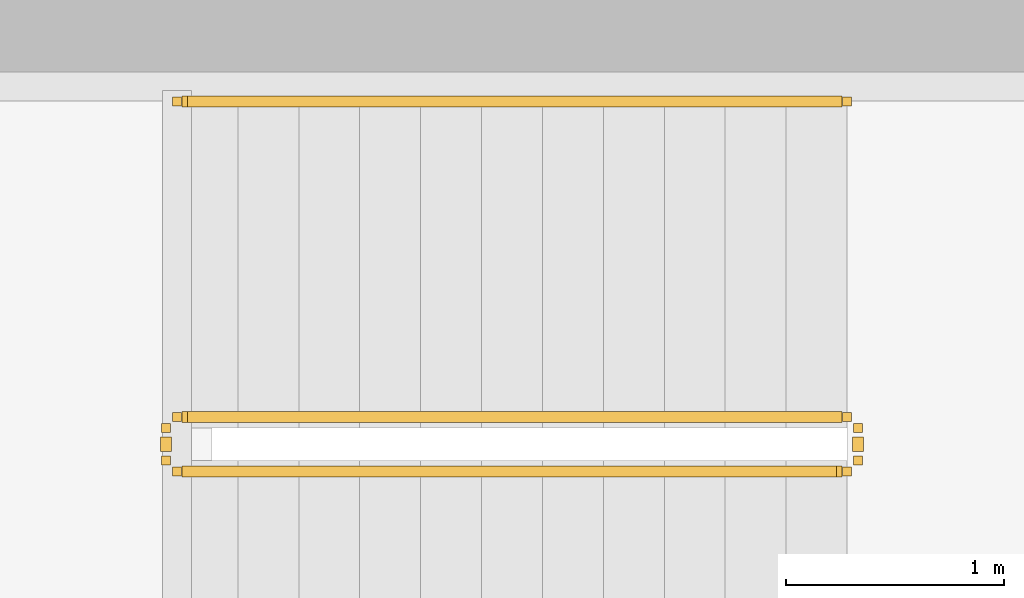
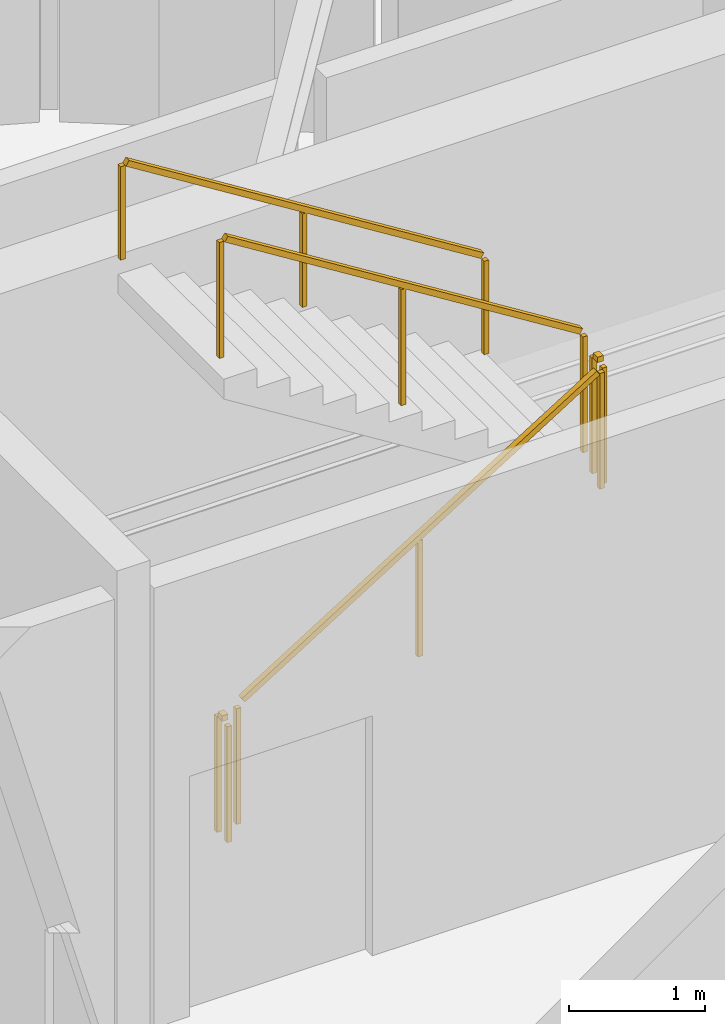
# One storey, part 21 of 22: 5 railings.
"""IFC4 building model written with IfcOpenShell, lengths in metres."""

import ifcopenshell
import ifcopenshell.guid

model = None  # the IFC model being written
_history = None  # IfcOwnerHistory: only IFC2X3 demands one
_inside = {}  # id of a spatial element -> (the spatial element, [elements in it])
_under = {}  # id of a project, library or spatial element -> (it, [spatial elements below it])
_declared = {}  # id of a project -> (the project, [libraries it declares])
_typed = {}  # id of a type object -> (the type object, [elements of that type])
_made_of = {}  # id of a material, layer set ... -> (it, [elements and type objects made of it])


def new_model(schema):
    """Start an empty IFC model of exactly this schema.

    Asked for "IFC4X3", IfcOpenShell would pick the latest addendum, in which some entities
    have other attributes; the version numbers below select the first issue.
    IFC2X3 requires an IfcOwnerHistory on every rooted entity: one is made here for all.
    """
    global model, _history
    if schema == "IFC4X3":
        model = ifcopenshell.file(schema_version=(4, 3, 0, 0))
    else:
        model = ifcopenshell.file(schema=schema)
    _inside.clear()
    _under.clear()
    _declared.clear()
    _typed.clear()
    _made_of.clear()
    _history = None
    if model.schema == "IFC2X3":
        org = make("IfcOrganization", Name="unknown")
        user = make(
            "IfcPersonAndOrganization",
            ThePerson=make("IfcPerson", FamilyName="unknown"),
            TheOrganization=org,
        )
        app = make(
            "IfcApplication",
            ApplicationDeveloper=org,
            Version="unknown",
            ApplicationFullName="unknown",
            ApplicationIdentifier="unknown",
        )
        _history = make(
            "IfcOwnerHistory",
            OwningUser=user,
            OwningApplication=app,
            ChangeAction="ADDED",
            CreationDate=0,
        )
    return model


def make(cls, **values):
    """One entity of the class cls with the attributes given. An attribute that is None is left unset."""
    return model.create_entity(
        cls, **{name: value for name, value in values.items() if value is not None}
    )


def rooted(cls, **values):
    """An entity with a GlobalId (a new one), such as an element, a storey or a relation."""
    return make(cls, GlobalId=ifcopenshell.guid.new(), OwnerHistory=_history, **values)


def si_unit(unit_type, name, prefix=None):
    """IfcSIUnit, for example si_unit("LENGTHUNIT", "METRE", prefix="MILLI")."""
    return make("IfcSIUnit", UnitType=unit_type, Prefix=prefix, Name=name)


def assignment(units):
    """IfcUnitAssignment: the units of a project."""
    return None if units is None else make("IfcUnitAssignment", Units=units)


def point(xyz):
    """IfcCartesianPoint."""
    return None if xyz is None else make("IfcCartesianPoint", Coordinates=xyz)


def direction(xyz):
    """IfcDirection."""
    return None if xyz is None else make("IfcDirection", DirectionRatios=xyz)


def frame(location, z_axis=None, x_axis=None):
    """IfcAxis2Placement3D, a coordinate frame: its origin and axes. An axis left out is left unset."""
    return make(
        "IfcAxis2Placement3D",
        Location=point(location),
        Axis=direction(z_axis),
        RefDirection=direction(x_axis),
    )


def frame_2d(location, x_axis=None):
    """IfcAxis2Placement2D, a coordinate frame in the plane: its origin and x axis."""
    return make(
        "IfcAxis2Placement2D", Location=point(location), RefDirection=direction(x_axis)
    )


def origin():
    """The frame at (0, 0, 0) with its axes left unset."""
    return frame((0.0, 0.0, 0.0))


def origin_2d():
    """The frame at (0, 0) in the plane with its x axis left unset."""
    return frame_2d((0.0, 0.0))


def place(relative_to, where):
    """IfcLocalPlacement: puts the frame where relative to a parent placement (None: the world)."""
    return make(
        "IfcLocalPlacement", PlacementRelTo=relative_to, RelativePlacement=where
    )


def context(
    kind, dimensions, precision=None, world=None, true_north=None, identifier=None
):
    """IfcGeometricRepresentationContext, for example the 3D "Model" context."""
    return make(
        "IfcGeometricRepresentationContext",
        ContextIdentifier=identifier,
        ContextType=kind,
        CoordinateSpaceDimension=dimensions,
        Precision=precision,
        WorldCoordinateSystem=world,
        TrueNorth=true_north,
    )


def subcontext(parent, identifier, kind, view, scale=None):
    """IfcGeometricRepresentationSubContext, for example "Body" below "Model"."""
    return make(
        "IfcGeometricRepresentationSubContext",
        ContextIdentifier=identifier,
        ContextType=kind,
        ParentContext=parent,
        TargetScale=scale,
        TargetView=view,
    )


def project(units=None, contexts=None):
    """IfcProject with its units and contexts."""
    return rooted(
        "IfcProject",
        Name="project",
        RepresentationContexts=contexts,
        UnitsInContext=assignment(units),
    )


def spatial(cls, under=None, at=None, **own):
    """A site, building, storey or space (cls), placed at a placement, below another one or the project."""
    s = rooted(cls, ObjectPlacement=at, **own)
    if under is not None:
        _under.setdefault(under.id(), (under, []))[1].append(s)
    return s


def profile(cls, at=None, kind="AREA", **sizes):
    """A parametric profile (cls). Its sizes go by their IFC names, for example OverallWidth=200.0."""
    return make(cls, ProfileType=kind, Position=at, **sizes)


def rectangle(**sizes):
    """IfcRectangleProfileDef."""
    return profile("IfcRectangleProfileDef", **sizes)


def extrude(swept, where, along, depth):
    """IfcExtrudedAreaSolid: the profile swept, set in the frame where, extruded along a direction by depth."""
    return make(
        "IfcExtrudedAreaSolid",
        SweptArea=swept,
        Position=where,
        ExtrudedDirection=direction(along),
        Depth=depth,
    )


def shape(context_of_items, identifier, shape_type, items):
    """IfcShapeRepresentation: the items that make up one representation, for example the "Body"."""
    return make(
        "IfcShapeRepresentation",
        ContextOfItems=context_of_items,
        RepresentationIdentifier=identifier,
        RepresentationType=shape_type,
        Items=items,
    )


def material(Name=None, Category=None):
    """IfcMaterial."""
    return make("IfcMaterial", Name=Name, Category=Category)


def made_of(thing, what):
    """Note that an element or type object is made of a material, layer set ...; save() writes the relation."""
    if what is not None:
        _made_of.setdefault(what.id(), (what, []))[1].append(thing)
    return thing


def type_object(cls, material=None, **own):
    """A type object (cls), such as IfcWallType, which elements share."""
    return made_of(rooted(cls, **own), material)


def element(
    cls,
    number,
    at=None,
    inside=None,
    cuts=None,
    type_object=None,
    material=None,
    context=None,
    identifier="Body",
    shape_type=None,
    held_by="IfcProductDefinitionShape",
    body=None,
    shapes=None,
    **own,
):
    """One element of the class cls, such as IfcWall. Its Tag is "e" and its number.

    at: its placement. inside: the storey or other place that contains it. cuts: it is an
    opening in that element (IfcRelVoidsElement). A single representation is given by context,
    identifier, shape_type and body (its items); several are given by shapes. held_by: the class
    of the entity that holds the representations. save() writes the other relations.
    """
    e = rooted(cls, Tag="e%d" % number, ObjectPlacement=at, **own)
    if body is not None:
        shapes = [shape(context, identifier, shape_type, body)]
    if shapes is not None:
        e.Representation = make(held_by, Representations=shapes)
    if inside is not None:
        _inside.setdefault(inside.id(), (inside, []))[1].append(e)
    if cuts is not None:
        rooted(
            "IfcRelVoidsElement", RelatingBuildingElement=cuts, RelatedOpeningElement=e
        )
    if type_object is not None:
        _typed.setdefault(type_object.id(), (type_object, []))[1].append(e)
    return made_of(e, material)


def aggregate(whole, parts):
    """IfcRelAggregates: a whole, such as a stair, and the parts it consists of."""
    return rooted("IfcRelAggregates", RelatingObject=whole, RelatedObjects=parts)


def save(model, path):
    """Write the relations noted so far, then the file.

    IfcRelAggregates (storeys below a building ...), IfcRelContainedInSpatialStructure (elements
    in a storey), IfcRelDefinesByType, IfcRelAssociatesMaterial and IfcRelDeclares: one each for
    every whole, place, type object, material and project.
    """
    for whole, parts in _under.values():
        aggregate(whole, parts)
    for where, things in _inside.values():
        rooted(
            "IfcRelContainedInSpatialStructure",
            RelatedElements=things,
            RelatingStructure=where,
        )
    for kind, things in _typed.values():
        rooted("IfcRelDefinesByType", RelatedObjects=things, RelatingType=kind)
    for what, things in _made_of.values():
        rooted("IfcRelAssociatesMaterial", RelatedObjects=things, RelatingMaterial=what)
    for by, libraries in _declared.values():
        rooted("IfcRelDeclares", RelatingContext=by, RelatedDefinitions=libraries)
    model.write(path)


model = new_model("IFC4")

# Units and contexts
model_context = context("Model", 3, precision=1e-05, world=origin(), true_north=direction((0.0, 1.0)))
body_context = subcontext(model_context, "Body", "Model", "MODEL_VIEW")
ifc_project = project(units=[si_unit("LENGTHUNIT", "METRE"), si_unit("AREAUNIT", "SQUARE_METRE"), si_unit("VOLUMEUNIT", "CUBIC_METRE"), si_unit("PLANEANGLEUNIT", "RADIAN"), si_unit("MASSUNIT", "GRAM", prefix="KILO")], contexts=[model_context])

# Site, building, storey
site_placement = place(None, origin())
site = spatial("IfcSite", under=ifc_project, at=site_placement, CompositionType="ELEMENT")
building_placement = place(site_placement, origin())
building = spatial("IfcBuilding", under=site, at=building_placement, Name="Kazma Halo Residences", CompositionType="ELEMENT")
storey_placement = place(building_placement, frame((0.0, 0.0, 322.10009765625)))
storey = spatial("IfcBuildingStorey", under=building, at=storey_placement, Name="L81", CompositionType="ELEMENT", Elevation=322.10009765625)

# Railings
ifc_material_1 = material(Name="Painted Steel S355", Category="steel")
railing_type_1 = type_object("IfcRailingType", Name="RLG-STAIR-GRD-1100", PredefinedType="GUARDRAIL", material=ifc_material_1)
railing_1_placement = place(storey_placement, frame((53.199951171875, 48.25, 0.1748046875)))
element("IfcRailing", 1, at=railing_1_placement, inside=storey, type_object=railing_type_1, Name="L81 ST-02 stair guard 1", PredefinedType="GUARDRAIL", context=body_context, shape_type="SweptSolid", body=[
    extrude(rectangle(XDim=0.050048828125, YDim=0.050048828125, at=origin_2d()), frame((0.0361328125, 0.0, 1.09765625), z_axis=(0.847998304005, 0.0, 0.529998940003), x_axis=(0.0, 1.0, 0.0)), (0.0, 0.0, 1.0), 3.547119140625),
    extrude(rectangle(XDim=0.0400390625, YDim=0.0400390625, at=origin_2d()), origin(), (0.0, 0.0, 1.0), 1.0380859375),
    extrude(rectangle(XDim=0.0400390625, YDim=0.0400390625, at=origin_2d()), frame((1.5400390625, 0.0, 0.96240234375)), (0.0, 0.0, 1.0), 1.0380859375),
    extrude(rectangle(XDim=0.0400390625, YDim=0.0400390625, at=origin_2d()), frame((3.080078125, 0.0, 1.925048828125)), (0.0, 0.0, 1.0), 1.0380859375),
])
railing_2_placement = place(storey_placement, frame((56.330078125, 48.300048828125, 2.099853515625)))
element("IfcRailing", 2, at=railing_2_placement, inside=storey, type_object=railing_type_1, Name="L81 ST-02 stair guard 2", PredefinedType="GUARDRAIL", context=body_context, shape_type="SweptSolid", body=[
    extrude(rectangle(XDim=0.050048828125, YDim=0.050048828125, at=origin_2d()), frame((0.0, 0.04248046875, 1.0751953125), z_axis=(0.0, 1.0, 0.0), x_axis=(-1.0, 0.0, 0.0)), (0.0, 0.0, 1.0), 0.06494140625),
    extrude(rectangle(XDim=0.0400390625, YDim=0.0400390625, at=origin_2d()), origin(), (0.0, 0.0, 1.0), 1.0380859375),
    extrude(rectangle(XDim=0.0400390625, YDim=0.0400390625, at=origin_2d()), frame((0.0, 0.14990234375, 0.0)), (0.0, 0.0, 1.0), 1.0380859375),
])
railing_3_placement = place(storey_placement, frame((56.280029296875, 48.5, 2.27490234375)))
element("IfcRailing", 3, at=railing_3_placement, inside=storey, type_object=railing_type_1, Name="L81 ST-02 stair guard 3", PredefinedType="GUARDRAIL", context=body_context, shape_type="SweptSolid", body=[
    extrude(rectangle(XDim=0.050048828125, YDim=0.050048828125, at=origin_2d()), frame((-0.0361328125, 0.0, 1.09765625), z_axis=(-0.847998304005, 0.0, 0.529998940003), x_axis=(0.0, -1.0, 0.0)), (0.0, 0.0, 1.0), 3.547119140625),
    extrude(rectangle(XDim=0.0400390625, YDim=0.0400390625, at=origin_2d()), origin(), (0.0, 0.0, 1.0), 1.0380859375),
    extrude(rectangle(XDim=0.0400390625, YDim=0.0400390625, at=origin_2d()), frame((-1.5400390625, 0.0, 0.96240234375)), (0.0, 0.0, 1.0), 1.0380859375),
    extrude(rectangle(XDim=0.0400390625, YDim=0.0400390625, at=origin_2d()), frame((-3.080078125, 0.0, 1.925048828125)), (0.0, 0.0, 1.0), 1.0380859375),
])
railing_4_placement = place(storey_placement, frame((53.14990234375, 48.300048828125, 0.0)))
element("IfcRailing", 4, at=railing_4_placement, inside=storey, type_object=railing_type_1, Name="L81 ST-02 stair guard 4", PredefinedType="GUARDRAIL", context=body_context, shape_type="SweptSolid", body=[
    extrude(rectangle(XDim=0.050048828125, YDim=0.050048828125, at=origin_2d()), frame((0.0, 0.04248046875, 1.0751953125), z_axis=(0.0, 1.0, 0.0), x_axis=(-1.0, 0.0, 0.0)), (0.0, 0.0, 1.0), 0.06494140625),
    extrude(rectangle(XDim=0.0400390625, YDim=0.0400390625, at=origin_2d()), origin(), (0.0, 0.0, 1.0), 1.0380859375),
    extrude(rectangle(XDim=0.0400390625, YDim=0.0400390625, at=origin_2d()), frame((0.0, 0.14990234375, 0.0)), (0.0, 0.0, 1.0), 1.0380859375),
])
ifc_material_2 = material(Name="Brushed Stainless Steel", Category="steel")
railing_type_2 = type_object("IfcRailingType", Name="RLG-STAIR-HND-900", PredefinedType="HANDRAIL", material=ifc_material_2)
railing_5_placement = place(storey_placement, frame((56.280029296875, 49.949951171875, 2.27490234375)))
element("IfcRailing", 5, at=railing_5_placement, inside=storey, type_object=railing_type_2, Name="L81 ST-02 stair handrail 2", PredefinedType="HANDRAIL", context=body_context, shape_type="SweptSolid", body=[
    extrude(rectangle(XDim=0.050048828125, YDim=0.050048828125, at=origin_2d()), frame((-0.0361328125, 0.0, 0.8974609375), z_axis=(-0.847998304005, 0.0, 0.529998940003), x_axis=(0.0, -1.0, 0.0)), (0.0, 0.0, 1.0), 3.547119140625),
    extrude(rectangle(XDim=0.0400390625, YDim=0.0400390625, at=origin_2d()), origin(), (0.0, 0.0, 1.0), 0.837890625),
    extrude(rectangle(XDim=0.0400390625, YDim=0.0400390625, at=origin_2d()), frame((-1.5400390625, 0.0, 0.96240234375)), (0.0, 0.0, 1.0), 0.837890625),
    extrude(rectangle(XDim=0.0400390625, YDim=0.0400390625, at=origin_2d()), frame((-3.080078125, 0.0, 1.925048828125)), (0.0, 0.0, 1.0), 0.837890625),
])

save(model, "model.ifc")
